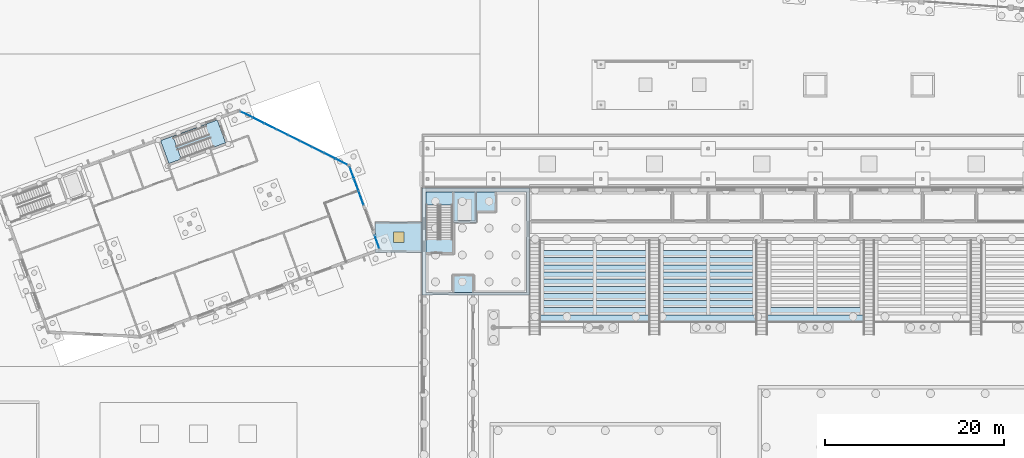
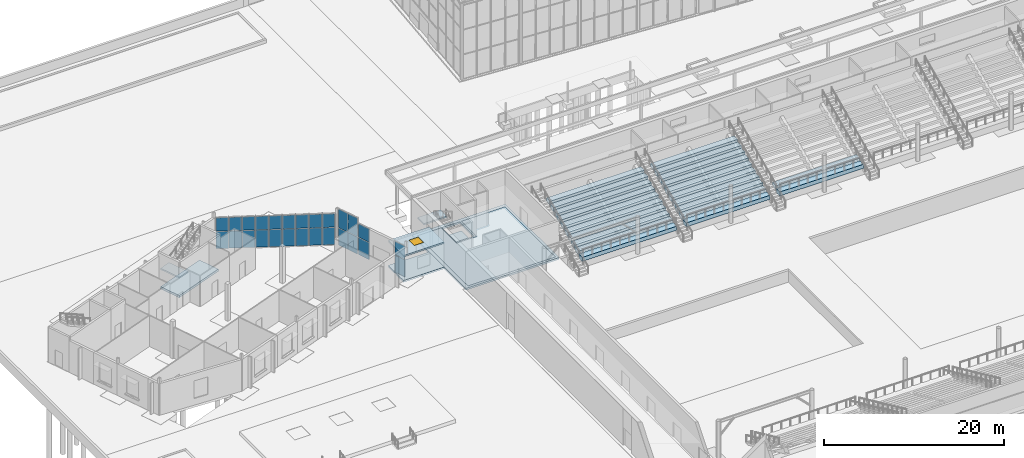
# One storey, part 66 of 157: 30 slabs, 26 plates, 1 window, 1 opening, 6 elements without a shape of their own.
"""IFC4 building model written with IfcOpenShell, lengths in metres."""

from ifc_helpers import new_model, si_unit, direction, frame, origin, origin_2d, place, context, subcontext, project, spatial, polyline, rectangle, outline, extrude, material, layer, layer_set, type_object, element, fill, aggregate, save


model = new_model("IFC4")

# Units and contexts
model_context = context("Model", 3, precision=1e-05, world=origin(), true_north=direction((0.0, 1.0)))
body_context = subcontext(model_context, "Body", "Model", "MODEL_VIEW")
ifc_project = project(units=[si_unit("LENGTHUNIT", "METRE"), si_unit("AREAUNIT", "SQUARE_METRE"), si_unit("VOLUMEUNIT", "CUBIC_METRE"), si_unit("PLANEANGLEUNIT", "RADIAN"), si_unit("MASSUNIT", "GRAM", prefix="KILO")], contexts=[model_context])

# Site, building, storey
site_placement = place(None, origin())
site = spatial("IfcSite", under=ifc_project, at=site_placement, CompositionType="ELEMENT")
building_placement = place(site_placement, origin())
building = spatial("IfcBuilding", under=site, at=building_placement, Name="Windward Yard Aquatics Centre", CompositionType="ELEMENT")
storey_placement = place(building_placement, origin())
storey = spatial("IfcBuildingStorey", under=building, at=storey_placement, Name="L00", CompositionType="ELEMENT", Elevation=0.0)

# Slab
ifc_material_1 = material(Name="Concrete C35/45", Category="concrete")
ifc_layer_1 = layer(ifc_material_1, 0.25)
ifc_layer_set_1 = layer_set([ifc_layer_1], Name="C link ground slab 250")
slab_type_1 = type_object("IfcSlabType", Name="C link ground slab 250", PredefinedType="BASESLAB", material=ifc_layer_set_1)
slab_1_placement = place(storey_placement, frame((0.0, 0.0, -0.25)))
element("IfcSlab", 1, at=slab_1_placement, inside=storey, type_object=slab_type_1, Name="Covered foyer link floor", PredefinedType="BASESLAB", context=body_context, shape_type="SweptSolid", body=[
    extrude(outline(polyline([(46.765380859375, 88.800048828125), (46.765380859375, 90.406005859375), (46.9365234375, 90.46826171875), (46.765380859375, 90.9384765625), (46.765380859375, 92.199951171875), (52.0, 92.199951171875), (52.0, 88.800048828125), (46.765380859375, 88.800048828125)])), origin(), (0.0, 0.0, 1.0), 0.25),
])

# Slab, opening, window
ifc_layer_2 = layer(ifc_material_1, 0.199951171875)
ifc_layer_set_2 = layer_set([ifc_layer_2], Name="C link roof slab 200")
slab_type_2 = type_object("IfcSlabType", Name="C link roof slab 200", PredefinedType="ROOF", material=ifc_layer_set_2)
slab_2_placement = place(storey_placement, frame((0.0, 0.0, 3.199951171875)))
slab_2 = element("IfcSlab", 2, at=slab_2_placement, inside=storey, type_object=slab_type_2, Name="Covered foyer link roof", PredefinedType="ROOF", context=body_context, shape_type="SweptSolid", body=[
    extrude(outline(polyline([(46.765380859375, 88.800048828125), (46.765380859375, 92.199951171875), (52.0, 92.199951171875), (52.0, 88.800048828125), (46.765380859375, 88.800048828125)])), origin(), (0.0, 0.0, 1.0), 0.199951171875),
])
opening_placement = place(slab_2_placement, frame((49.383056640625, 90.5, 0.0)))
opening = element("IfcOpeningElement", 3, at=opening_placement, cuts=slab_2, Name="Opening CSK05", PredefinedType="OPENING", context=body_context, shape_type="SweptSolid", body=[
    extrude(rectangle(XDim=1.199951171875, YDim=1.199951171875, at=origin_2d()), origin(), (0.0, 0.0, 1.0), 0.199951171875),
])
ifc_material_2 = material(Name="Aluminium framed laminated glazing", Category="aluminium")
window_type = type_object("IfcWindowType", Name="C skylight 1200X1200", PartitioningType="SINGLE_PANEL", PredefinedType="SKYLIGHT", material=ifc_material_2)
window_placement = place(opening_placement, frame((0.0, 0.0, 0.14990234375)))
window = element("IfcWindow", 4, at=window_placement, inside=storey, type_object=window_type, Name="Roof light 1 of the covered foyer link", OverallHeight=1.199951171875, OverallWidth=1.199951171875, PartitioningType="SINGLE_PANEL", PredefinedType="SKYLIGHT", context=body_context, shape_type="SweptSolid", body=[
    extrude(rectangle(XDim=1.199951171875, YDim=1.199951171875, at=origin_2d()), origin(), (0.0, 0.0, 1.0), 0.050048828125),
])
fill(opening, window)

# Curtain wall, plates
ifc_material_3 = material(Name="Aluminium, anodised", Category="aluminium")
ifc_layer_3 = layer(ifc_material_3, 0.14990234375)
ifc_layer_set_3 = layer_set([ifc_layer_3], Name="F curtain wall 150 aluminium")
curtain_wall_type = type_object("IfcCurtainWallType", Name="F curtain wall 150 aluminium", PredefinedType="NOTDEFINED", material=ifc_layer_set_3)
curtain_wall_1_placement = place(storey_placement, origin())
curtain_wall_1 = element("IfcCurtainWall", 5, at=curtain_wall_1_placement, inside=storey, type_object=curtain_wall_type, Name="Foyer glazing L00 1", PredefinedType="NOTDEFINED")
ifc_material_4 = material(Name="Laminated glass, low-e coated", Category="glass")
ifc_layer_4 = layer(ifc_material_4, 0.028076171875)
ifc_layer_set_4 = layer_set([ifc_layer_4], Name="F curtain wall glass panel 28")
plate_type = type_object("IfcPlateType", Name="F curtain wall glass panel 28", PredefinedType="CURTAIN_PANEL", material=ifc_layer_set_4)
plate_1_placement = place(storey_placement, frame((46.9619140625, 89.9599609375, 0.06005859375), z_axis=(0.0, 0.0, 1.0), x_axis=(-0.342028898906, 0.939689433969, 0.0)))
plate_1 = element("IfcPlate", 6, at=plate_1_placement, type_object=plate_type, Name="FCW1 panel 1.1", PredefinedType="CURTAIN_PANEL", context=body_context, shape_type="SweptSolid", body=[
    extrude(rectangle(XDim=1.452880859375, YDim=0.028076171875, at=origin_2d()), origin(), (0.0, 0.0, 1.0), 2.31005859375),
])
plate_2_placement = place(storey_placement, frame((46.9619140625, 89.9599609375, 2.429931640625), z_axis=(0.0, 0.0, 1.0), x_axis=(-0.342028898906, 0.939689433969, 0.0)))
plate_2 = element("IfcPlate", 7, at=plate_2_placement, type_object=plate_type, Name="FCW1 panel 1.2", PredefinedType="CURTAIN_PANEL", context=body_context, shape_type="SweptSolid", body=[
    extrude(rectangle(XDim=1.452880859375, YDim=0.028076171875, at=origin_2d()), origin(), (0.0, 0.0, 1.0), 1.81298828125),
])
aggregate(curtain_wall_1, [plate_1, plate_2])

curtain_wall_2_placement = place(storey_placement, origin())
curtain_wall_2 = element("IfcCurtainWall", 8, at=curtain_wall_2_placement, inside=storey, type_object=curtain_wall_type, Name="Foyer glazing L00 2", PredefinedType="NOTDEFINED")
plate_3_placement = place(storey_placement, frame((45.1708984375, 94.880615234375, 0.06005859375), z_axis=(0.0, 0.0, 1.0), x_axis=(-0.342050035681, 0.93968174032, 0.0)))
plate_3 = element("IfcPlate", 9, at=plate_3_placement, type_object=plate_type, Name="FCW2 panel 1.1", PredefinedType="CURTAIN_PANEL", context=body_context, shape_type="SweptSolid", body=[
    extrude(rectangle(XDim=1.580078125, YDim=0.028076171875, at=origin_2d()), origin(), (0.0, 0.0, 1.0), 2.31005859375),
])
plate_4_placement = place(storey_placement, frame((45.1708984375, 94.880615234375, 2.429931640625), z_axis=(0.0, 0.0, 1.0), x_axis=(-0.342050035681, 0.93968174032, 0.0)))
plate_4 = element("IfcPlate", 10, at=plate_4_placement, type_object=plate_type, Name="FCW2 panel 1.2", PredefinedType="CURTAIN_PANEL", context=body_context, shape_type="SweptSolid", body=[
    extrude(rectangle(XDim=1.580078125, YDim=0.028076171875, at=origin_2d()), origin(), (0.0, 0.0, 1.0), 1.81298828125),
])
aggregate(curtain_wall_2, [plate_3, plate_4])

curtain_wall_3_placement = place(storey_placement, origin())
curtain_wall_3 = element("IfcCurtainWall", 11, at=curtain_wall_3_placement, inside=storey, type_object=curtain_wall_type, Name="Foyer glazing L00 3", PredefinedType="NOTDEFINED")
plate_5_placement = place(storey_placement, frame((44.62939453125, 96.368408203125, 0.06005859375), z_axis=(0.0, 0.0, 1.0), x_axis=(-0.342016934078, 0.93969378885, 0.0)))
plate_5 = element("IfcPlate", 12, at=plate_5_placement, type_object=plate_type, Name="FCW3 panel 1.1", PredefinedType="CURTAIN_PANEL", context=body_context, shape_type="SweptSolid", body=[
    extrude(rectangle(XDim=1.346435546875, YDim=0.028076171875, at=origin_2d()), origin(), (0.0, 0.0, 1.0), 2.31005859375),
])
plate_6_placement = place(storey_placement, frame((44.62939453125, 96.368408203125, 2.43017578125), z_axis=(0.0, 0.0, 1.0), x_axis=(-0.342016934078, 0.93969378885, 0.0)))
plate_6 = element("IfcPlate", 13, at=plate_6_placement, type_object=plate_type, Name="FCW3 panel 1.2", PredefinedType="CURTAIN_PANEL", context=body_context, shape_type="SweptSolid", body=[
    extrude(rectangle(XDim=1.346435546875, YDim=0.028076171875, at=origin_2d()), origin(), (0.0, 0.0, 1.0), 2.510009765625),
])
plate_7_placement = place(storey_placement, frame((44.1484375, 97.68994140625, 0.06005859375), z_axis=(0.0, 0.0, 1.0), x_axis=(-0.342016934078, 0.93969378885, 0.0)))
plate_7 = element("IfcPlate", 14, at=plate_7_placement, type_object=plate_type, Name="FCW3 panel 2.1", PredefinedType="CURTAIN_PANEL", context=body_context, shape_type="SweptSolid", body=[
    extrude(rectangle(XDim=1.346435546875, YDim=0.028076171875, at=origin_2d()), origin(), (0.0, 0.0, 1.0), 2.31005859375),
])
plate_8_placement = place(storey_placement, frame((44.1484375, 97.68994140625, 2.43017578125), z_axis=(0.0, 0.0, 1.0), x_axis=(-0.342016934078, 0.93969378885, 0.0)))
plate_8 = element("IfcPlate", 15, at=plate_8_placement, type_object=plate_type, Name="FCW3 panel 2.2", PredefinedType="CURTAIN_PANEL", context=body_context, shape_type="SweptSolid", body=[
    extrude(rectangle(XDim=1.346435546875, YDim=0.028076171875, at=origin_2d()), origin(), (0.0, 0.0, 1.0), 2.510009765625),
])
aggregate(curtain_wall_3, [plate_5, plate_6, plate_7, plate_8])

curtain_wall_4_placement = place(storey_placement, origin())
curtain_wall_4 = element("IfcCurtainWall", 16, at=curtain_wall_4_placement, inside=storey, type_object=curtain_wall_type, Name="Foyer glazing L00 4", PredefinedType="NOTDEFINED")
plate_9_placement = place(storey_placement, frame((43.003662109375, 98.921875, 0.06005859375), z_axis=(0.0, 0.0, 1.0), x_axis=(-0.895178919872, 0.445706968105, 0.0)))
plate_9 = element("IfcPlate", 17, at=plate_9_placement, type_object=plate_type, Name="FCW4 panel 1.1", PredefinedType="CURTAIN_PANEL", context=body_context, shape_type="SweptSolid", body=[
    extrude(rectangle(XDim=1.400390625, YDim=0.028076171875, at=origin_2d()), origin(), (0.0, 0.0, 1.0), 2.31005859375),
])
plate_10_placement = place(storey_placement, frame((43.003662109375, 98.921875, 2.429931640625), z_axis=(0.0, 0.0, 1.0), x_axis=(-0.895178919872, 0.445706968105, 0.0)))
plate_10 = element("IfcPlate", 18, at=plate_10_placement, type_object=plate_type, Name="FCW4 panel 1.2", PredefinedType="CURTAIN_PANEL", context=body_context, shape_type="SweptSolid", body=[
    extrude(rectangle(XDim=1.400390625, YDim=0.028076171875, at=origin_2d()), origin(), (0.0, 0.0, 1.0), 1.81298828125),
])
plate_11_placement = place(storey_placement, frame((41.682861328125, 99.57958984375, 0.06005859375), z_axis=(0.0, 0.0, 1.0), x_axis=(-0.895178919872, 0.445706968105, 0.0)))
plate_11 = element("IfcPlate", 19, at=plate_11_placement, type_object=plate_type, Name="FCW4 panel 2.1", PredefinedType="CURTAIN_PANEL", context=body_context, shape_type="SweptSolid", body=[
    extrude(rectangle(XDim=1.430419921875, YDim=0.028076171875, at=origin_2d()), origin(), (0.0, 0.0, 1.0), 2.31005859375),
])
plate_12_placement = place(storey_placement, frame((41.682861328125, 99.57958984375, 2.429931640625), z_axis=(0.0, 0.0, 1.0), x_axis=(-0.895178919872, 0.445706968105, 0.0)))
plate_12 = element("IfcPlate", 20, at=plate_12_placement, type_object=plate_type, Name="FCW4 panel 2.2", PredefinedType="CURTAIN_PANEL", context=body_context, shape_type="SweptSolid", body=[
    extrude(rectangle(XDim=1.430419921875, YDim=0.028076171875, at=origin_2d()), origin(), (0.0, 0.0, 1.0), 1.81298828125),
])
plate_13_placement = place(storey_placement, frame((40.348876953125, 100.24365234375, 0.06005859375), z_axis=(0.0, 0.0, 1.0), x_axis=(-0.895178919872, 0.445706968105, 0.0)))
plate_13 = element("IfcPlate", 21, at=plate_13_placement, type_object=plate_type, Name="FCW4 panel 3.1", PredefinedType="CURTAIN_PANEL", context=body_context, shape_type="SweptSolid", body=[
    extrude(rectangle(XDim=1.430419921875, YDim=0.028076171875, at=origin_2d()), origin(), (0.0, 0.0, 1.0), 2.31005859375),
])
plate_14_placement = place(storey_placement, frame((40.348876953125, 100.24365234375, 2.429931640625), z_axis=(0.0, 0.0, 1.0), x_axis=(-0.895178919872, 0.445706968105, 0.0)))
plate_14 = element("IfcPlate", 22, at=plate_14_placement, type_object=plate_type, Name="FCW4 panel 3.2", PredefinedType="CURTAIN_PANEL", context=body_context, shape_type="SweptSolid", body=[
    extrude(rectangle(XDim=1.430419921875, YDim=0.028076171875, at=origin_2d()), origin(), (0.0, 0.0, 1.0), 1.81298828125),
])
plate_15_placement = place(storey_placement, frame((39.0146484375, 100.907958984375, 0.06005859375), z_axis=(0.0, 0.0, 1.0), x_axis=(-0.895178919872, 0.445706968105, 0.0)))
plate_15 = element("IfcPlate", 23, at=plate_15_placement, type_object=plate_type, Name="FCW4 panel 4.1", PredefinedType="CURTAIN_PANEL", context=body_context, shape_type="SweptSolid", body=[
    extrude(rectangle(XDim=1.430419921875, YDim=0.028076171875, at=origin_2d()), origin(), (0.0, 0.0, 1.0), 2.31005859375),
])
plate_16_placement = place(storey_placement, frame((39.0146484375, 100.907958984375, 2.429931640625), z_axis=(0.0, 0.0, 1.0), x_axis=(-0.895178919872, 0.445706968105, 0.0)))
plate_16 = element("IfcPlate", 24, at=plate_16_placement, type_object=plate_type, Name="FCW4 panel 4.2", PredefinedType="CURTAIN_PANEL", context=body_context, shape_type="SweptSolid", body=[
    extrude(rectangle(XDim=1.430419921875, YDim=0.028076171875, at=origin_2d()), origin(), (0.0, 0.0, 1.0), 1.81298828125),
])
plate_17_placement = place(storey_placement, frame((37.6806640625, 101.572265625, 0.06005859375), z_axis=(0.0, 0.0, 1.0), x_axis=(-0.895178919872, 0.445706968105, 0.0)))
plate_17 = element("IfcPlate", 25, at=plate_17_placement, type_object=plate_type, Name="FCW4 panel 5.1", PredefinedType="CURTAIN_PANEL", context=body_context, shape_type="SweptSolid", body=[
    extrude(rectangle(XDim=1.430419921875, YDim=0.028076171875, at=origin_2d()), origin(), (0.0, 0.0, 1.0), 2.31005859375),
])
plate_18_placement = place(storey_placement, frame((37.6806640625, 101.572265625, 2.429931640625), z_axis=(0.0, 0.0, 1.0), x_axis=(-0.895178919872, 0.445706968105, 0.0)))
plate_18 = element("IfcPlate", 26, at=plate_18_placement, type_object=plate_type, Name="FCW4 panel 5.2", PredefinedType="CURTAIN_PANEL", context=body_context, shape_type="SweptSolid", body=[
    extrude(rectangle(XDim=1.430419921875, YDim=0.028076171875, at=origin_2d()), origin(), (0.0, 0.0, 1.0), 1.81298828125),
])
plate_19_placement = place(storey_placement, frame((36.346435546875, 102.236572265625, 0.06005859375), z_axis=(0.0, 0.0, 1.0), x_axis=(-0.895178919872, 0.445706968105, 0.0)))
plate_19 = element("IfcPlate", 27, at=plate_19_placement, type_object=plate_type, Name="FCW4 panel 6.1", PredefinedType="CURTAIN_PANEL", context=body_context, shape_type="SweptSolid", body=[
    extrude(rectangle(XDim=1.430419921875, YDim=0.028076171875, at=origin_2d()), origin(), (0.0, 0.0, 1.0), 2.31005859375),
])
plate_20_placement = place(storey_placement, frame((36.346435546875, 102.236572265625, 2.429931640625), z_axis=(0.0, 0.0, 1.0), x_axis=(-0.895178919872, 0.445706968105, 0.0)))
plate_20 = element("IfcPlate", 28, at=plate_20_placement, type_object=plate_type, Name="FCW4 panel 6.2", PredefinedType="CURTAIN_PANEL", context=body_context, shape_type="SweptSolid", body=[
    extrude(rectangle(XDim=1.430419921875, YDim=0.028076171875, at=origin_2d()), origin(), (0.0, 0.0, 1.0), 1.81298828125),
])
plate_21_placement = place(storey_placement, frame((35.01220703125, 102.90087890625, 0.06005859375), z_axis=(0.0, 0.0, 1.0), x_axis=(-0.895178919872, 0.445706968105, 0.0)))
plate_21 = element("IfcPlate", 29, at=plate_21_placement, type_object=plate_type, Name="FCW4 panel 7.1", PredefinedType="CURTAIN_PANEL", context=body_context, shape_type="SweptSolid", body=[
    extrude(rectangle(XDim=1.430419921875, YDim=0.028076171875, at=origin_2d()), origin(), (0.0, 0.0, 1.0), 2.31005859375),
])
plate_22_placement = place(storey_placement, frame((35.01220703125, 102.90087890625, 2.429931640625), z_axis=(0.0, 0.0, 1.0), x_axis=(-0.895178919872, 0.445706968105, 0.0)))
plate_22 = element("IfcPlate", 30, at=plate_22_placement, type_object=plate_type, Name="FCW4 panel 7.2", PredefinedType="CURTAIN_PANEL", context=body_context, shape_type="SweptSolid", body=[
    extrude(rectangle(XDim=1.430419921875, YDim=0.028076171875, at=origin_2d()), origin(), (0.0, 0.0, 1.0), 1.81298828125),
])
plate_23_placement = place(storey_placement, frame((33.67822265625, 103.56494140625, 0.06005859375), z_axis=(0.0, 0.0, 1.0), x_axis=(-0.895178919872, 0.445706968105, 0.0)))
plate_23 = element("IfcPlate", 31, at=plate_23_placement, type_object=plate_type, Name="FCW4 panel 8.1", PredefinedType="CURTAIN_PANEL", context=body_context, shape_type="SweptSolid", body=[
    extrude(rectangle(XDim=1.430419921875, YDim=0.028076171875, at=origin_2d()), origin(), (0.0, 0.0, 1.0), 2.31005859375),
])
plate_24_placement = place(storey_placement, frame((33.67822265625, 103.56494140625, 2.429931640625), z_axis=(0.0, 0.0, 1.0), x_axis=(-0.895178919872, 0.445706968105, 0.0)))
plate_24 = element("IfcPlate", 32, at=plate_24_placement, type_object=plate_type, Name="FCW4 panel 8.2", PredefinedType="CURTAIN_PANEL", context=body_context, shape_type="SweptSolid", body=[
    extrude(rectangle(XDim=1.430419921875, YDim=0.028076171875, at=origin_2d()), origin(), (0.0, 0.0, 1.0), 1.81298828125),
])
plate_25_placement = place(storey_placement, frame((32.357421875, 104.22265625, 0.06005859375), z_axis=(0.0, 0.0, 1.0), x_axis=(-0.895178919872, 0.445706968105, 0.0)))
plate_25 = element("IfcPlate", 33, at=plate_25_placement, type_object=plate_type, Name="FCW4 panel 9.1", PredefinedType="CURTAIN_PANEL", context=body_context, shape_type="SweptSolid", body=[
    extrude(rectangle(XDim=1.400390625, YDim=0.028076171875, at=origin_2d()), origin(), (0.0, 0.0, 1.0), 2.31005859375),
])
plate_26_placement = place(storey_placement, frame((32.357421875, 104.22265625, 2.429931640625), z_axis=(0.0, 0.0, 1.0), x_axis=(-0.895178919872, 0.445706968105, 0.0)))
plate_26 = element("IfcPlate", 34, at=plate_26_placement, type_object=plate_type, Name="FCW4 panel 9.2", PredefinedType="CURTAIN_PANEL", context=body_context, shape_type="SweptSolid", body=[
    extrude(rectangle(XDim=1.400390625, YDim=0.028076171875, at=origin_2d()), origin(), (0.0, 0.0, 1.0), 1.81298828125),
])
aggregate(curtain_wall_4, [plate_9, plate_10, plate_11, plate_12, plate_13, plate_14, plate_15, plate_16, plate_17, plate_18, plate_19, plate_20, plate_21, plate_22, plate_23, plate_24, plate_25, plate_26])

# Slab
ifc_material_5 = material(Name="Concrete C40/50", Category="concrete")
ifc_layer_5 = layer(ifc_material_5, 0.300048828125)
ifc_layer_set_5 = layer_set([ifc_layer_5], Name="F ground slab 300 Concrete C40/50")
slab_type_3 = type_object("IfcSlabType", Name="F ground slab 300 Concrete C40/50", PredefinedType="BASESLAB", material=ifc_layer_set_5)
slab_3_placement = place(storey_placement, frame((0.0, 0.0, -0.300048828125)))
element("IfcSlab", 35, at=slab_3_placement, inside=storey, type_object=slab_type_3, Name="F.SL.GS.S2", PredefinedType="BASESLAB", context=body_context, shape_type="SweptSolid", body=[
    extrude(outline(polyline([(22.74853515625, 101.298583984375), (23.6806640625, 98.738037109375), (30.0234375, 101.046630859375), (29.091552734375, 103.607421875), (22.74853515625, 101.298583984375)])), origin(), (0.0, 0.0, 1.0), 0.300048828125),
])

# Stair, slab
stair_type_1 = type_object("IfcStairType", Name="F stair 1200 half-turn Concrete C40/50", PredefinedType="HALF_TURN_STAIR", material=ifc_material_5)
stair_1_placement = place(storey_placement, origin())
stair_1 = element("IfcStair", 36, at=stair_1_placement, inside=storey, type_object=stair_type_1, Name="F.ST.L00.S2", PredefinedType="HALF_TURN_STAIR")
ifc_layer_6 = layer(ifc_material_5, 0.199951171875)
ifc_layer_set_6 = layer_set([ifc_layer_6], Name="F stair landing 200 Concrete C40/50")
slab_type_4 = type_object("IfcSlabType", Name="F stair landing 200 Concrete C40/50", PredefinedType="LANDING", material=ifc_layer_set_6)
slab_4_placement = place(storey_placement, frame((0.0, 0.0, 2.300048828125)))
slab_4 = element("IfcSlab", 37, at=slab_4_placement, type_object=slab_type_4, Name="FS2 landing 1", PredefinedType="LANDING", context=body_context, shape_type="SweptSolid", body=[
    extrude(outline(polyline([(22.74853515625, 101.298583984375), (23.6806640625, 98.738037109375), (25.06201171875, 99.24072265625), (24.1298828125, 101.801513671875), (22.74853515625, 101.298583984375)])), origin(), (0.0, 0.0, 1.0), 0.199951171875),
])
aggregate(stair_1, [slab_4])

# Slabs
ifc_layer_7 = layer(ifc_material_1, 0.25)
ifc_layer_set_7 = layer_set([ifc_layer_7], Name="H Core Ground Slab Concrete C35/45 250")
slab_type_5 = type_object("IfcSlabType", Name="H Core Ground Slab Concrete C35/45 250", PredefinedType="BASESLAB", material=ifc_layer_set_7)
slab_5_placement = place(storey_placement, frame((0.0, 0.0, -0.25)))
element("IfcSlab", 38, at=slab_5_placement, inside=storey, type_object=slab_type_5, Name="L00 core floor NW", PredefinedType="BASESLAB", context=body_context, shape_type="SweptSolid", body=[
    extrude(outline(polyline([(52.449951171875, 84.300048828125), (63.699951171875, 84.300048828125), (63.699951171875, 95.550048828125), (58.10009765625, 95.550048828125), (58.10009765625, 92.14990234375), (55.5, 92.14990234375), (55.5, 95.550048828125), (52.449951171875, 95.550048828125), (52.449951171875, 84.300048828125)])), origin(), (0.0, 0.0, 1.0), 0.25),
])
ifc_layer_8 = layer(ifc_material_1, 0.300048828125)
ifc_layer_set_8 = layer_set([ifc_layer_8], Name="H Lift Pit Slab Concrete C35/45 300")
slab_type_6 = type_object("IfcSlabType", Name="H Lift Pit Slab Concrete C35/45 300", PredefinedType="BASESLAB", material=ifc_layer_set_8)
slab_6_placement = place(storey_placement, frame((0.0, 0.0, -1.60009765625)))
element("IfcSlab", 39, at=slab_6_placement, inside=storey, type_object=slab_type_6, Name="Lift pit slab NW", PredefinedType="BASESLAB", context=body_context, shape_type="SweptSolid", body=[
    extrude(outline(polyline([(55.5, 92.14990234375), (58.10009765625, 92.14990234375), (58.10009765625, 95.550048828125), (55.5, 95.550048828125), (55.5, 92.14990234375)])), origin(), (0.0, 0.0, 1.0), 0.300048828125),
])

# Stair, slab
stair_type_2 = type_object("IfcStairType", Name="H Core Stair Concrete C35/45 1400", PredefinedType="HALF_TURN_STAIR", material=ifc_material_1)
stair_2_placement = place(storey_placement, origin())
stair_2 = element("IfcStair", 40, at=stair_2_placement, inside=storey, type_object=stair_type_2, Name="L00 Stair NW", PredefinedType="HALF_TURN_STAIR")
ifc_layer_9 = layer(ifc_material_1, 0.199951171875)
ifc_layer_set_9 = layer_set([ifc_layer_9], Name="H Stair Landing Concrete C35/45 200")
slab_type_7 = type_object("IfcSlabType", Name="H Stair Landing Concrete C35/45 200", PredefinedType="LANDING", material=ifc_layer_set_9)
slab_7_placement = place(storey_placement, frame((0.0, 0.0, 2.300048828125)))
slab_7 = element("IfcSlab", 41, at=slab_7_placement, type_object=slab_type_7, Name="ST3 landing 1", PredefinedType="LANDING", context=body_context, shape_type="SweptSolid", body=[
    extrude(outline(polyline([(52.449951171875, 94.1201171875), (55.39990234375, 94.1201171875), (55.39990234375, 95.550048828125), (52.449951171875, 95.550048828125), (52.449951171875, 94.1201171875)])), origin(), (0.0, 0.0, 1.0), 0.199951171875),
])
aggregate(stair_2, [slab_7])

# Slabs
ifc_layer_10 = layer(ifc_material_1, 0.25)
ifc_layer_set_10 = layer_set([ifc_layer_10], Name="H ground slab 250 C35/45")
slab_type_8 = type_object("IfcSlabType", Name="H ground slab 250 C35/45", PredefinedType="BASESLAB", material=ifc_layer_set_10)
slab_8_placement = place(storey_placement, frame((0.0, 0.0, -0.25)))
element("IfcSlab", 42, at=slab_8_placement, inside=storey, type_object=slab_type_8, Name="H.GS.C.NW.1", PredefinedType="BASESLAB", context=body_context, shape_type="SweptSolid", body=[
    extrude(outline(polyline([(52.0, 84.0), (52.0, 96.0), (64.0, 96.0), (64.0, 84.0), (52.0, 84.0)]), holes=[polyline([(52.449951171875, 84.300048828125), (63.699951171875, 84.300048828125), (63.699951171875, 95.550048828125), (58.10009765625, 95.550048828125), (58.10009765625, 92.14990234375), (55.5, 92.14990234375), (55.5, 95.550048828125), (52.449951171875, 95.550048828125), (52.449951171875, 84.300048828125)]), polyline([(55.60009765625, 92.35009765625), (57.89990234375, 92.35009765625), (57.89990234375, 95.550048828125), (55.60009765625, 95.550048828125), (55.60009765625, 92.35009765625)])]), origin(), (0.0, 0.0, 1.0), 0.25),
])
ifc_layer_11 = layer(ifc_material_1, 0.5400390625)
ifc_layer_set_11 = layer_set([ifc_layer_11], Name="H seating unit 540 C35/45")
slab_type_9 = type_object("IfcSlabType", Name="H seating unit 540 C35/45", PredefinedType="USERDEFINED", material=ifc_layer_set_11)
slab_9_placement = place(storey_placement, frame((0.0, 0.0, 0.860107421875)))
element("IfcSlab", 43, at=slab_9_placement, inside=storey, type_object=slab_type_9, Name="H.ST.N.1.R01", ObjectType="SEATING UNIT", PredefinedType="USERDEFINED", context=body_context, shape_type="SweptSolid", body=[
    extrude(outline(polyline([(65.25, 81.0), (77.375, 81.0), (77.375, 81.800048828125), (65.25, 81.800048828125), (65.25, 81.0)])), origin(), (0.0, 0.0, 1.0), 0.539794921875),
])
slab_10_placement = place(storey_placement, frame((0.0, 0.0, 1.219970703125)))
element("IfcSlab", 44, at=slab_10_placement, inside=storey, type_object=slab_type_9, Name="H.ST.N.1.R02", ObjectType="SEATING UNIT", PredefinedType="USERDEFINED", context=body_context, shape_type="SweptSolid", body=[
    extrude(outline(polyline([(65.25, 81.800048828125), (77.375, 81.800048828125), (77.375, 82.60009765625), (65.25, 82.60009765625), (65.25, 81.800048828125)])), origin(), (0.0, 0.0, 1.0), 0.5400390625),
])
slab_11_placement = place(storey_placement, frame((0.0, 0.0, 1.580078125)))
element("IfcSlab", 45, at=slab_11_placement, inside=storey, type_object=slab_type_9, Name="H.ST.N.1.R03", ObjectType="SEATING UNIT", PredefinedType="USERDEFINED", context=body_context, shape_type="SweptSolid", body=[
    extrude(outline(polyline([(65.25, 82.60009765625), (77.375, 82.60009765625), (77.375, 83.39990234375), (65.25, 83.39990234375), (65.25, 82.60009765625)])), origin(), (0.0, 0.0, 1.0), 0.5400390625),
])
slab_12_placement = place(storey_placement, frame((0.0, 0.0, 1.93994140625)))
element("IfcSlab", 46, at=slab_12_placement, inside=storey, type_object=slab_type_9, Name="H.ST.N.1.R04", ObjectType="SEATING UNIT", PredefinedType="USERDEFINED", context=body_context, shape_type="SweptSolid", body=[
    extrude(outline(polyline([(65.25, 83.39990234375), (77.375, 83.39990234375), (77.375, 84.199951171875), (65.25, 84.199951171875), (65.25, 83.39990234375)])), origin(), (0.0, 0.0, 1.0), 0.5400390625),
])
slab_13_placement = place(storey_placement, frame((0.0, 0.0, 2.300048828125)))
element("IfcSlab", 47, at=slab_13_placement, inside=storey, type_object=slab_type_9, Name="H.ST.N.1.R05", ObjectType="SEATING UNIT", PredefinedType="USERDEFINED", context=body_context, shape_type="SweptSolid", body=[
    extrude(outline(polyline([(65.25, 84.199951171875), (77.375, 84.199951171875), (77.375, 85.0), (65.25, 85.0), (65.25, 84.199951171875)])), origin(), (0.0, 0.0, 1.0), 0.5400390625),
])
slab_14_placement = place(storey_placement, frame((0.0, 0.0, 2.659912109375)))
element("IfcSlab", 48, at=slab_14_placement, inside=storey, type_object=slab_type_9, Name="H.ST.N.1.R06", ObjectType="SEATING UNIT", PredefinedType="USERDEFINED", context=body_context, shape_type="SweptSolid", body=[
    extrude(outline(polyline([(65.25, 85.0), (77.375, 85.0), (77.375, 85.800048828125), (65.25, 85.800048828125), (65.25, 85.0)])), origin(), (0.0, 0.0, 1.0), 0.5400390625),
])
slab_15_placement = place(storey_placement, frame((0.0, 0.0, 3.02001953125)))
element("IfcSlab", 49, at=slab_15_placement, inside=storey, type_object=slab_type_9, Name="H.ST.N.1.R07", ObjectType="SEATING UNIT", PredefinedType="USERDEFINED", context=body_context, shape_type="SweptSolid", body=[
    extrude(outline(polyline([(65.25, 85.800048828125), (77.375, 85.800048828125), (77.375, 86.60009765625), (65.25, 86.60009765625), (65.25, 85.800048828125)])), origin(), (0.0, 0.0, 1.0), 0.5400390625),
])
slab_16_placement = place(storey_placement, frame((0.0, 0.0, 3.3798828125)))
element("IfcSlab", 50, at=slab_16_placement, inside=storey, type_object=slab_type_9, Name="H.ST.N.1.R08", ObjectType="SEATING UNIT", PredefinedType="USERDEFINED", context=body_context, shape_type="SweptSolid", body=[
    extrude(outline(polyline([(65.25, 86.60009765625), (77.375, 86.60009765625), (77.375, 87.39990234375), (65.25, 87.39990234375), (65.25, 86.60009765625)])), origin(), (0.0, 0.0, 1.0), 0.5400390625),
])
slab_17_placement = place(storey_placement, frame((0.0, 0.0, 3.739990234375)))
element("IfcSlab", 51, at=slab_17_placement, inside=storey, type_object=slab_type_9, Name="H.ST.N.1.R09", ObjectType="SEATING UNIT", PredefinedType="USERDEFINED", context=body_context, shape_type="SweptSolid", body=[
    extrude(outline(polyline([(65.25, 87.39990234375), (77.375, 87.39990234375), (77.375, 88.199951171875), (65.25, 88.199951171875), (65.25, 87.39990234375)])), origin(), (0.0, 0.0, 1.0), 0.5400390625),
])
slab_18_placement = place(storey_placement, frame((0.0, 0.0, 4.10009765625)))
element("IfcSlab", 52, at=slab_18_placement, inside=storey, type_object=slab_type_9, Name="H.ST.N.1.R10", ObjectType="SEATING UNIT", PredefinedType="USERDEFINED", context=body_context, shape_type="SweptSolid", body=[
    extrude(outline(polyline([(65.25, 88.199951171875), (77.375, 88.199951171875), (77.375, 89.0), (65.25, 89.0), (65.25, 88.199951171875)])), origin(), (0.0, 0.0, 1.0), 0.539794921875),
])
slab_19_placement = place(storey_placement, frame((0.0, 0.0, 0.860107421875)))
element("IfcSlab", 53, at=slab_19_placement, inside=storey, type_object=slab_type_9, Name="H.ST.N.2.R01", ObjectType="SEATING UNIT", PredefinedType="USERDEFINED", context=body_context, shape_type="SweptSolid", body=[
    extrude(outline(polyline([(78.625, 81.0), (89.375, 81.0), (89.375, 81.800048828125), (78.625, 81.800048828125), (78.625, 81.0)])), origin(), (0.0, 0.0, 1.0), 0.539794921875),
])
slab_20_placement = place(storey_placement, frame((0.0, 0.0, 1.219970703125)))
element("IfcSlab", 54, at=slab_20_placement, inside=storey, type_object=slab_type_9, Name="H.ST.N.2.R02", ObjectType="SEATING UNIT", PredefinedType="USERDEFINED", context=body_context, shape_type="SweptSolid", body=[
    extrude(outline(polyline([(78.625, 81.800048828125), (89.375, 81.800048828125), (89.375, 82.60009765625), (78.625, 82.60009765625), (78.625, 81.800048828125)])), origin(), (0.0, 0.0, 1.0), 0.5400390625),
])
slab_21_placement = place(storey_placement, frame((0.0, 0.0, 1.580078125)))
element("IfcSlab", 55, at=slab_21_placement, inside=storey, type_object=slab_type_9, Name="H.ST.N.2.R03", ObjectType="SEATING UNIT", PredefinedType="USERDEFINED", context=body_context, shape_type="SweptSolid", body=[
    extrude(outline(polyline([(78.625, 82.60009765625), (89.375, 82.60009765625), (89.375, 83.39990234375), (78.625, 83.39990234375), (78.625, 82.60009765625)])), origin(), (0.0, 0.0, 1.0), 0.5400390625),
])
slab_22_placement = place(storey_placement, frame((0.0, 0.0, 1.93994140625)))
element("IfcSlab", 56, at=slab_22_placement, inside=storey, type_object=slab_type_9, Name="H.ST.N.2.R04", ObjectType="SEATING UNIT", PredefinedType="USERDEFINED", context=body_context, shape_type="SweptSolid", body=[
    extrude(outline(polyline([(78.625, 83.39990234375), (89.375, 83.39990234375), (89.375, 84.199951171875), (78.625, 84.199951171875), (78.625, 83.39990234375)])), origin(), (0.0, 0.0, 1.0), 0.5400390625),
])
slab_23_placement = place(storey_placement, frame((0.0, 0.0, 2.300048828125)))
element("IfcSlab", 57, at=slab_23_placement, inside=storey, type_object=slab_type_9, Name="H.ST.N.2.R05", ObjectType="SEATING UNIT", PredefinedType="USERDEFINED", context=body_context, shape_type="SweptSolid", body=[
    extrude(outline(polyline([(78.625, 84.199951171875), (89.375, 84.199951171875), (89.375, 85.0), (78.625, 85.0), (78.625, 84.199951171875)])), origin(), (0.0, 0.0, 1.0), 0.5400390625),
])
slab_24_placement = place(storey_placement, frame((0.0, 0.0, 2.659912109375)))
element("IfcSlab", 58, at=slab_24_placement, inside=storey, type_object=slab_type_9, Name="H.ST.N.2.R06", ObjectType="SEATING UNIT", PredefinedType="USERDEFINED", context=body_context, shape_type="SweptSolid", body=[
    extrude(outline(polyline([(78.625, 85.0), (89.375, 85.0), (89.375, 85.800048828125), (78.625, 85.800048828125), (78.625, 85.0)])), origin(), (0.0, 0.0, 1.0), 0.5400390625),
])
slab_25_placement = place(storey_placement, frame((0.0, 0.0, 3.02001953125)))
element("IfcSlab", 59, at=slab_25_placement, inside=storey, type_object=slab_type_9, Name="H.ST.N.2.R07", ObjectType="SEATING UNIT", PredefinedType="USERDEFINED", context=body_context, shape_type="SweptSolid", body=[
    extrude(outline(polyline([(78.625, 85.800048828125), (89.375, 85.800048828125), (89.375, 86.60009765625), (78.625, 86.60009765625), (78.625, 85.800048828125)])), origin(), (0.0, 0.0, 1.0), 0.5400390625),
])
slab_26_placement = place(storey_placement, frame((0.0, 0.0, 3.3798828125)))
element("IfcSlab", 60, at=slab_26_placement, inside=storey, type_object=slab_type_9, Name="H.ST.N.2.R08", ObjectType="SEATING UNIT", PredefinedType="USERDEFINED", context=body_context, shape_type="SweptSolid", body=[
    extrude(outline(polyline([(78.625, 86.60009765625), (89.375, 86.60009765625), (89.375, 87.39990234375), (78.625, 87.39990234375), (78.625, 86.60009765625)])), origin(), (0.0, 0.0, 1.0), 0.5400390625),
])
slab_27_placement = place(storey_placement, frame((0.0, 0.0, 3.739990234375)))
element("IfcSlab", 61, at=slab_27_placement, inside=storey, type_object=slab_type_9, Name="H.ST.N.2.R09", ObjectType="SEATING UNIT", PredefinedType="USERDEFINED", context=body_context, shape_type="SweptSolid", body=[
    extrude(outline(polyline([(78.625, 87.39990234375), (89.375, 87.39990234375), (89.375, 88.199951171875), (78.625, 88.199951171875), (78.625, 87.39990234375)])), origin(), (0.0, 0.0, 1.0), 0.5400390625),
])
slab_28_placement = place(storey_placement, frame((0.0, 0.0, 4.10009765625)))
element("IfcSlab", 62, at=slab_28_placement, inside=storey, type_object=slab_type_9, Name="H.ST.N.2.R10", ObjectType="SEATING UNIT", PredefinedType="USERDEFINED", context=body_context, shape_type="SweptSolid", body=[
    extrude(outline(polyline([(78.625, 88.199951171875), (89.375, 88.199951171875), (89.375, 89.0), (78.625, 89.0), (78.625, 88.199951171875)])), origin(), (0.0, 0.0, 1.0), 0.539794921875),
])
slab_29_placement = place(storey_placement, frame((0.0, 0.0, 0.860107421875)))
element("IfcSlab", 63, at=slab_29_placement, inside=storey, type_object=slab_type_9, Name="H.ST.N.3.R01", ObjectType="SEATING UNIT", PredefinedType="USERDEFINED", context=body_context, shape_type="SweptSolid", body=[
    extrude(outline(polyline([(90.625, 81.0), (101.375, 81.0), (101.375, 81.800048828125), (90.625, 81.800048828125), (90.625, 81.0)])), origin(), (0.0, 0.0, 1.0), 0.539794921875),
])
slab_30_placement = place(storey_placement, frame((0.0, 0.0, 1.219970703125)))
element("IfcSlab", 64, at=slab_30_placement, inside=storey, type_object=slab_type_9, Name="H.ST.N.3.R02", ObjectType="SEATING UNIT", PredefinedType="USERDEFINED", context=body_context, shape_type="SweptSolid", body=[
    extrude(outline(polyline([(90.625, 81.800048828125), (101.375, 81.800048828125), (101.375, 82.60009765625), (90.625, 82.60009765625), (90.625, 81.800048828125)])), origin(), (0.0, 0.0, 1.0), 0.5400390625),
])

save(model, "model.ifc")
